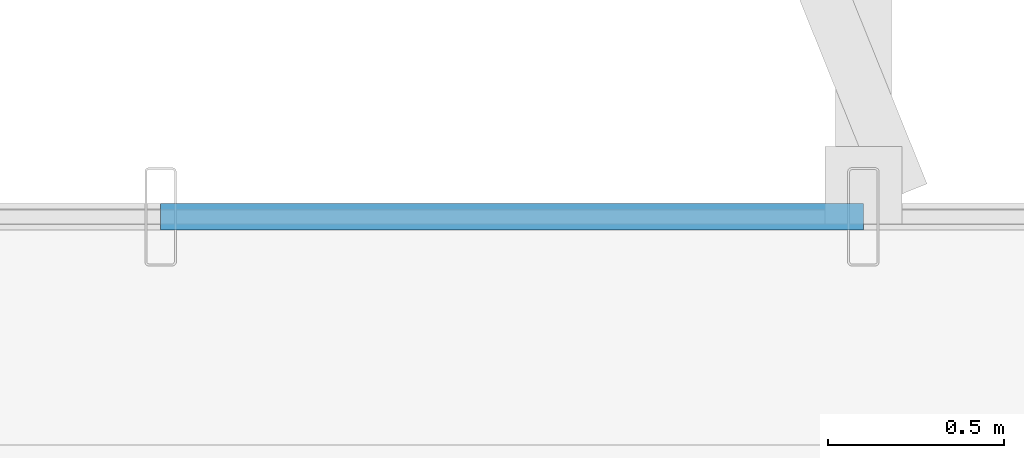
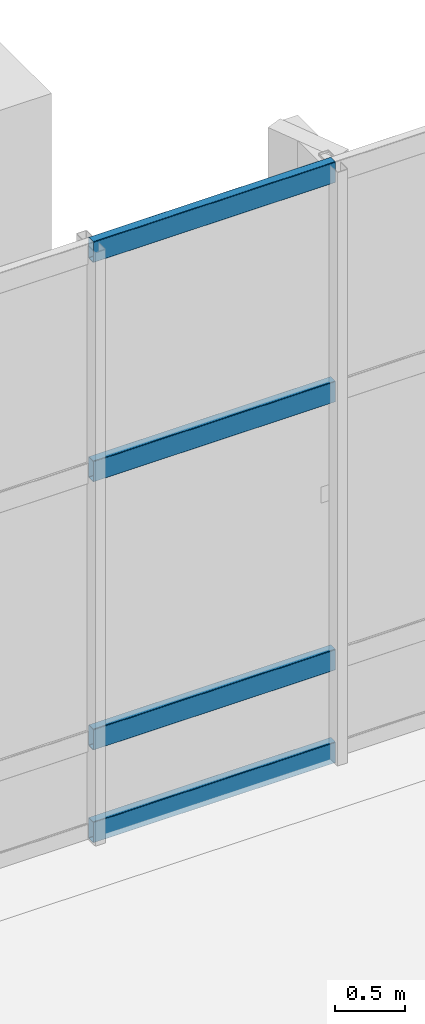
# One storey, part 53 of 176: 4 members, 1 element without a shape of its own.
"""IFC4 building model written with IfcOpenShell, lengths in metres."""

from ifc_helpers import new_model, si_unit, direction, frame, origin, origin_2d, place, context, subcontext, project, spatial, hollow_rectangle, extrude, material, layer, layer_set, material_profile, profile_set, type_object, element, aggregate, save


model = new_model("IFC4")

# Units and contexts
model_context = context("Model", 3, precision=1e-05, world=origin(), true_north=direction((0.0, 1.0)))
body_context = subcontext(model_context, "Body", "Model", "MODEL_VIEW")
ifc_project = project(units=[si_unit("LENGTHUNIT", "METRE"), si_unit("AREAUNIT", "SQUARE_METRE"), si_unit("VOLUMEUNIT", "CUBIC_METRE"), si_unit("PLANEANGLEUNIT", "RADIAN"), si_unit("MASSUNIT", "GRAM", prefix="KILO")], contexts=[model_context])

# Site, building, storey
site_placement = place(None, origin())
site = spatial("IfcSite", under=ifc_project, at=site_placement, CompositionType="ELEMENT")
building_placement = place(site_placement, origin())
building = spatial("IfcBuilding", under=site, at=building_placement, Name="Khorjan Park Terminus", CompositionType="ELEMENT")
storey_placement = place(building_placement, frame((0.0, 0.0, 6.0)))
storey = spatial("IfcBuildingStorey", under=building, at=storey_placement, Name="L01", CompositionType="ELEMENT", Elevation=6.0)

# Curtain wall, members
ifc_material = material(Name="Anodized Bronze Aluminium", Category="aluminium")
ifc_layer = layer(ifc_material, 0.22)
ifc_layer_set = layer_set([ifc_layer], Name="Anodized Bronze Aluminium")
curtain_wall_type = type_object("IfcCurtainWallType", Name="CW-CONC-A", PredefinedType="NOTDEFINED", material=ifc_layer_set)
curtain_wall_placement = place(storey_placement, origin())
curtain_wall = element("IfcCurtainWall", 1, at=curtain_wall_placement, inside=storey, type_object=curtain_wall_type, Name="Unitized curtain wall CW-A (CW-V2-N-L01-04)", PredefinedType="NOTDEFINED")
ifc_material_profile = material_profile(ifc_material, hollow_rectangle(XDim=0.075, YDim=0.185, WallThickness=0.005, InnerFilletRadius=0.005, OuterFilletRadius=0.01, at=origin_2d()), Name="ALT 75x185x5")
ifc_profile_set = profile_set([ifc_material_profile], Name="Anodized Bronze Aluminium")
member_type = type_object("IfcMemberType", Name="TR-ALT-185", PredefinedType="USERDEFINED", material=ifc_profile_set)
member_1_placement = place(storey_placement, frame((90.0, 86.0, 0.04), z_axis=(-1.0, 0.0, 0.0), x_axis=(0.0, -1.0, 0.0)))
member_1 = element("IfcMember", 2, at=member_1_placement, type_object=member_type, Name="Curtain-wall transom TR-18 (CW-V2-N-L01-04-1-1)", ObjectType="TRANSOM", PredefinedType="USERDEFINED", context=body_context, shape_type="SweptSolid", body=[
    extrude(hollow_rectangle(XDim=0.075, YDim=0.185, WallThickness=0.005, InnerFilletRadius=0.005, OuterFilletRadius=0.01, at=origin_2d()), origin(), (0.0, 0.0, 1.0), 2.0),
])
member_2_placement = place(storey_placement, frame((90.0, 86.0, 0.85), z_axis=(-1.0, 0.0, 0.0), x_axis=(0.0, -1.0, 0.0)))
member_2 = element("IfcMember", 3, at=member_2_placement, type_object=member_type, Name="Curtain-wall transom TR-18 (CW-V2-N-L01-04-1-2)", ObjectType="TRANSOM", PredefinedType="USERDEFINED", context=body_context, shape_type="SweptSolid", body=[
    extrude(hollow_rectangle(XDim=0.075, YDim=0.185, WallThickness=0.005, InnerFilletRadius=0.005, OuterFilletRadius=0.01, at=origin_2d()), origin(), (0.0, 0.0, 1.0), 2.0),
])
member_3_placement = place(storey_placement, frame((90.0, 86.0, 3.193), z_axis=(-1.0, 0.0, 0.0), x_axis=(0.0, -1.0, 0.0)))
member_3 = element("IfcMember", 4, at=member_3_placement, type_object=member_type, Name="Curtain-wall transom TR-18 (CW-V2-N-L01-04-1-3)", ObjectType="TRANSOM", PredefinedType="USERDEFINED", context=body_context, shape_type="SweptSolid", body=[
    extrude(hollow_rectangle(XDim=0.075, YDim=0.185, WallThickness=0.005, InnerFilletRadius=0.005, OuterFilletRadius=0.01, at=origin_2d()), origin(), (0.0, 0.0, 1.0), 2.0),
])
member_4_placement = place(storey_placement, frame((90.0, 86.0, 5.11), z_axis=(-1.0, 0.0, 0.0), x_axis=(0.0, -1.0, 0.0)))
member_4 = element("IfcMember", 5, at=member_4_placement, type_object=member_type, Name="Curtain-wall transom TR-18 (CW-V2-N-L01-04-1-4)", ObjectType="TRANSOM", PredefinedType="USERDEFINED", context=body_context, shape_type="SweptSolid", body=[
    extrude(hollow_rectangle(XDim=0.075, YDim=0.185, WallThickness=0.005, InnerFilletRadius=0.005, OuterFilletRadius=0.01, at=origin_2d()), origin(), (0.0, 0.0, 1.0), 2.0),
])
aggregate(curtain_wall, [member_1, member_2, member_3, member_4])

save(model, "model.ifc")
